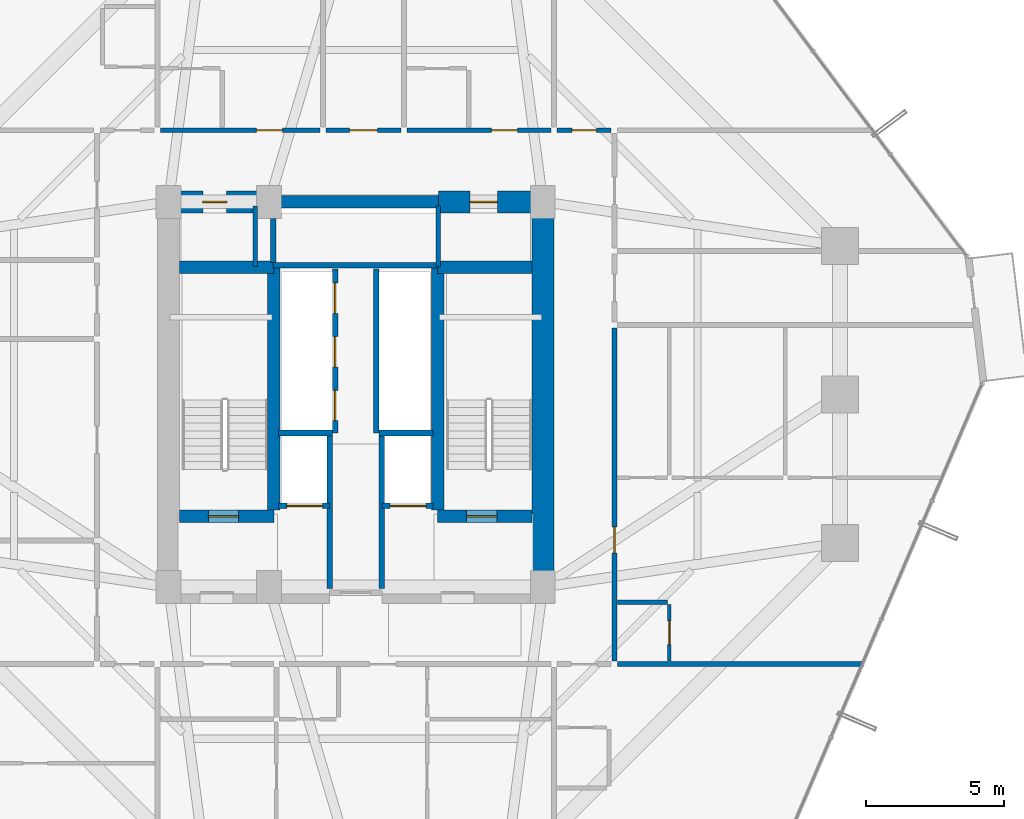
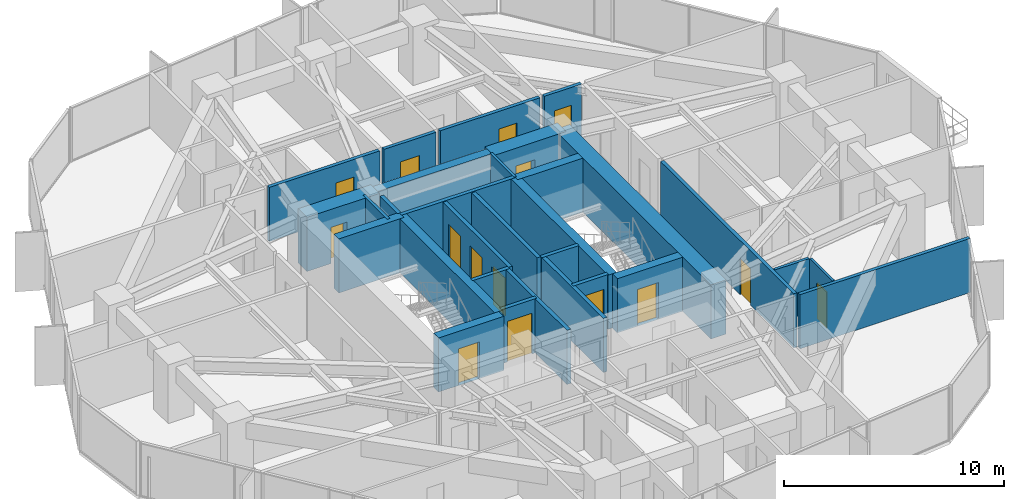
# One storey, part 34 of 37: 30 walls, 15 doors, 15 openings.
"""IFC4 building model written with IfcOpenShell, lengths in metres."""

from ifc_helpers import new_model, si_unit, direction, frame, frame_2d, origin, place, context, subcontext, project, spatial, rectangle, extrude, source, transform, mapped, material, layer, layer_set, type_object, element, fill, save


model = new_model("IFC4")

# Units and contexts
model_context = context("Model", 3, precision=1e-05, world=origin(), true_north=direction((0.0, 1.0)))
body_context = subcontext(model_context, "Body", "Model", "MODEL_VIEW")
ifc_project = project(units=[si_unit("LENGTHUNIT", "METRE"), si_unit("AREAUNIT", "SQUARE_METRE"), si_unit("VOLUMEUNIT", "CUBIC_METRE"), si_unit("PLANEANGLEUNIT", "RADIAN"), si_unit("MASSUNIT", "GRAM", prefix="KILO")], contexts=[model_context])

# Site, building, storey
site_placement = place(None, origin())
site = spatial("IfcSite", under=ifc_project, at=site_placement, CompositionType="ELEMENT")
building_placement = place(site_placement, origin())
building = spatial("IfcBuilding", under=site, at=building_placement, Name="Veraguas Prism Commons", CompositionType="ELEMENT")
storey_placement = place(building_placement, frame((0.0, 0.0, 46.800048828125)))
storey = spatial("IfcBuildingStorey", under=building, at=storey_placement, Name="L12", CompositionType="ELEMENT", Elevation=46.800048828125)

# Wall
ifc_material_1 = material(Name="Concrete C60/75", Category="concrete")
ifc_layer_1 = layer(ifc_material_1, 0.449951171875, Name="Core Internal Shear Wall Lower RC 450", Category="concrete")
ifc_layer_set_1 = layer_set([ifc_layer_1], Name="Concrete C60/75")
wall_type_1 = type_object("IfcWallType", Name="Core Internal Shear Wall Lower RC 450", PredefinedType="SHEAR", material=ifc_layer_set_1)
wall_1_placement = place(storey_placement, frame((21.0, 31.0, 0.0), z_axis=(0.0, 0.0, 1.0), x_axis=(1.0, 0.0, 0.0)))
element("IfcWall", 1, at=wall_1_placement, inside=storey, type_object=wall_type_1, Name="High-Rise Lift Bank Front Shear Wall L12", PredefinedType="SHEAR", context=body_context, shape_type="SweptSolid", body=[
    extrude(rectangle(XDim=6.0, YDim=0.449951171875, at=frame_2d((3.0, 0.0))), origin(), (0.0, 0.0, 1.0), 3.0),
])

# Wall, opening, door
wall_2_placement = place(storey_placement, frame((17.60009765625, 19.574951171875, 0.0), z_axis=(0.0, 0.0, 1.0), x_axis=(1.0, 0.0, 0.0)))
wall_2 = element("IfcWall", 2, at=wall_2_placement, inside=storey, type_object=wall_type_1, Name="Stair ST-01 South Shear Wall L12", PredefinedType="SHEAR", context=body_context, shape_type="SweptSolid", body=[
    extrude(rectangle(XDim=3.4248046875, YDim=0.449951171875, at=frame_2d((1.71240234375, 0.0))), origin(), (0.0, 0.0, 1.0), 3.0),
])
opening_1_placement = place(wall_2_placement, frame((1.050048828125, 0.0, 0.0)))
opening_1 = element("IfcOpeningElement", 3, at=opening_1_placement, cuts=wall_2, Name="Opening DR-05", PredefinedType="OPENING", context=body_context, shape_type="SweptSolid", body=[
    extrude(rectangle(XDim=1.10009765625, YDim=2.030029296875, at=frame_2d((0.550048828125, 1.01513671875))), frame((0.0, 0.23486328125, 0.0), z_axis=(0.0, -1.0, 0.0), x_axis=(1.0, 0.0, 0.0)), (0.0, 0.0, 1.0), 0.469970703125),
])
ifc_material_2 = material(Name="Steel fire-rated door assembly", Category="steel")
door_type_1 = type_object("IfcDoorType", Name="Protected Stair and Refuge Fire Door 1100x2030", OperationType="NOTDEFINED", PredefinedType="DOOR", material=ifc_material_2)
shared_shape_1 = source(origin(), body_context, "Body", "SweptSolid", [
    extrude(rectangle(XDim=1.10009765625, YDim=2.030029296875, at=frame_2d((0.550048828125, 1.01513671875))), frame((0.0, 0.02490234375, 0.0), z_axis=(0.0, -1.0, 0.0), x_axis=(1.0, 0.0, 0.0)), (0.0, 0.0, 1.0), 0.050048828125),
])
door_1_placement = place(opening_1_placement, origin())
door_1 = element("IfcDoor", 4, at=door_1_placement, inside=storey, type_object=door_type_1, Name="Stair ST-01 Enclosure Door L12", OperationType="SINGLE_SWING_RIGHT", OverallHeight=2.030029296875, OverallWidth=1.10009765625, PredefinedType="DOOR", context=body_context, shape_type="MappedRepresentation", body=[
    mapped(shared_shape_1, transform((0.0, 0.0, 0.0), scale=1.0)),
])
fill(opening_1, door_1)

wall_3_placement = place(storey_placement, frame((26.97509765625, 19.574951171875, 0.0), z_axis=(0.0, 0.0, 1.0), x_axis=(1.0, 0.0, 0.0)))
wall_3 = element("IfcWall", 5, at=wall_3_placement, inside=storey, type_object=wall_type_1, Name="Stair ST-02 South Shear Wall L12", PredefinedType="SHEAR", context=body_context, shape_type="SweptSolid", body=[
    extrude(rectangle(XDim=3.4248046875, YDim=0.449951171875, at=frame_2d((1.71240234375, 0.0))), origin(), (0.0, 0.0, 1.0), 3.0),
])
opening_2_placement = place(wall_3_placement, frame((1.050048828125, 0.0, 0.0)))
opening_2 = element("IfcOpeningElement", 6, at=opening_2_placement, cuts=wall_3, Name="Opening DR-05", PredefinedType="OPENING", context=body_context, shape_type="SweptSolid", body=[
    extrude(rectangle(XDim=1.10009765625, YDim=2.030029296875, at=frame_2d((0.550048828125, 1.01513671875))), frame((0.0, 0.23486328125, 0.0), z_axis=(0.0, -1.0, 0.0), x_axis=(1.0, 0.0, 0.0)), (0.0, 0.0, 1.0), 0.469970703125),
])
door_2_placement = place(opening_2_placement, origin())
door_2 = element("IfcDoor", 7, at=door_2_placement, inside=storey, type_object=door_type_1, Name="Stair ST-02 Enclosure Door L12", OperationType="SINGLE_SWING_LEFT", OverallHeight=2.030029296875, OverallWidth=1.10009765625, PredefinedType="DOOR", context=body_context, shape_type="MappedRepresentation", body=[
    mapped(shared_shape_1, transform((0.0, 0.0, 0.0), scale=1.0)),
])
fill(opening_2, door_2)

# Walls
for number, where, z_axis, x_axis, name in (
    (8, (21.02490234375, 19.800048828125, 0.0), (0.0, 0.0, 1.0), (0.0, 1.0, 0.0), "Stair ST-01 Inner Shear Wall L12"),
    (9, (26.97509765625, 19.800048828125, 0.0), (0.0, 0.0, 1.0), (0.0, 1.0, 0.0), "Stair ST-02 Inner Shear Wall L12"),
):
    element("IfcWall", number, at=place(storey_placement, frame(where, z_axis=z_axis, x_axis=x_axis)), inside=storey, type_object=wall_type_1, Name=name, PredefinedType="SHEAR", context=body_context, shape_type="SweptSolid", body=[
        extrude(rectangle(XDim=8.824951171875, YDim=0.449951171875, at=frame_2d((4.41259765625, 0.0))), origin(), (0.0, 0.0, 1.0), 3.0),
    ])
for number, where, z_axis, x_axis, name in (
    (10, (17.60009765625, 28.625, 0.0), (0.0, 0.0, 1.0), (1.0, 0.0, 0.0), "Stair ST-01 North Shear Wall L12"),
    (11, (26.97509765625, 28.625, 0.0), (0.0, 0.0, 1.0), (1.0, 0.0, 0.0), "Stair ST-02 North Shear Wall L12"),
):
    element("IfcWall", number, at=place(storey_placement, frame(where, z_axis=z_axis, x_axis=x_axis)), inside=storey, type_object=wall_type_1, Name=name, PredefinedType="SHEAR", context=body_context, shape_type="SweptSolid", body=[
        extrude(rectangle(XDim=3.4248046875, YDim=0.449951171875, at=frame_2d((1.71240234375, 0.0))), origin(), (0.0, 0.0, 1.0), 3.0),
    ])
ifc_layer_2 = layer(ifc_material_1, 0.800048828125, Name="Core Outer Shear Wall Lower RC 800", Category="concrete")
ifc_layer_set_2 = layer_set([ifc_layer_2], Name="Concrete C60/75")
wall_type_2 = type_object("IfcWallType", Name="Core Outer Shear Wall Lower RC 800", PredefinedType="SHEAR", material=ifc_layer_set_2)
wall_4_placement = place(storey_placement, frame((30.800048828125, 16.800048828125, 0.0), z_axis=(0.0, 0.0, 1.0), x_axis=(0.0, 1.0, 0.0)))
element("IfcWall", 12, at=wall_4_placement, inside=storey, type_object=wall_type_2, Name="Central Core East Shear Wall L12", PredefinedType="SHEAR", context=body_context, shape_type="SweptSolid", body=[
    extrude(rectangle(XDim=14.199951171875, YDim=0.800048828125, at=frame_2d((7.10009765625, 0.0))), origin(), (0.0, 0.0, 1.0), 3.0),
])

# Wall, opening, door
wall_5_placement = place(storey_placement, frame((17.199951171875, 31.0, 0.0), z_axis=(0.0, 0.0, 1.0), x_axis=(1.0, 0.0, 0.0)))
wall_5 = element("IfcWall", 13, at=wall_5_placement, inside=storey, type_object=wall_type_2, Name="Central Core North-West Shear Wall L12", PredefinedType="SHEAR", context=body_context, shape_type="SweptSolid", body=[
    extrude(rectangle(XDim=3.800048828125, YDim=0.800048828125, at=frame_2d((1.89990234375, 0.0))), origin(), (0.0, 0.0, 1.0), 3.0),
])
opening_3_placement = place(wall_5_placement, frame((1.25, 0.0, 0.0)))
opening_3 = element("IfcOpeningElement", 14, at=opening_3_placement, cuts=wall_5, Name="Opening DR-12", PredefinedType="OPENING", context=body_context, shape_type="SweptSolid", body=[
    extrude(rectangle(XDim=0.860107421875, YDim=2.010009765625, at=frame_2d((0.43017578125, 1.0048828125))), frame((0.0, 0.409912109375, 0.0), z_axis=(0.0, -1.0, 0.0), x_axis=(1.0, 0.0, 0.0)), (0.0, 0.0, 1.0), 0.820068359375),
])
door_type_2 = type_object("IfcDoorType", Name="Core WC Fire Door 860x2010", OperationType="NOTDEFINED", PredefinedType="DOOR", material=ifc_material_2)
shared_shape_2 = source(origin(), body_context, "Body", "SweptSolid", [
    extrude(rectangle(XDim=0.860107421875, YDim=2.010009765625, at=frame_2d((0.43017578125, 1.0048828125))), frame((0.0, 0.02490234375, 0.0), z_axis=(0.0, -1.0, 0.0), x_axis=(1.0, 0.0, 0.0)), (0.0, 0.0, 1.0), 0.050048828125),
])
door_3_placement = place(opening_3_placement, origin())
door_3 = element("IfcDoor", 15, at=door_3_placement, inside=storey, type_object=door_type_2, Name="Core NW Service Door L12", OperationType="SINGLE_SWING_RIGHT", OverallHeight=2.010009765625, OverallWidth=0.860107421875, PredefinedType="DOOR", context=body_context, shape_type="MappedRepresentation", body=[
    mapped(shared_shape_2, transform((0.0, 0.0, 0.0), scale=1.0)),
])
fill(opening_3, door_3)

wall_6_placement = place(storey_placement, frame((27.0, 31.0, 0.0), z_axis=(0.0, 0.0, 1.0), x_axis=(1.0, 0.0, 0.0)))
wall_6 = element("IfcWall", 16, at=wall_6_placement, inside=storey, type_object=wall_type_2, Name="Central Core North-East Shear Wall L12", PredefinedType="SHEAR", context=body_context, shape_type="SweptSolid", body=[
    extrude(rectangle(XDim=3.800048828125, YDim=0.800048828125, at=frame_2d((1.89990234375, 0.0))), origin(), (0.0, 0.0, 1.0), 3.0),
])
opening_4_placement = place(wall_6_placement, frame((1.14990234375, 0.0, 0.0)))
opening_4 = element("IfcOpeningElement", 17, at=opening_4_placement, cuts=wall_6, Name="Opening DR-13", PredefinedType="OPENING", context=body_context, shape_type="SweptSolid", body=[
    extrude(rectangle(XDim=1.0, YDim=2.010009765625, at=frame_2d((0.5, 1.0048828125))), frame((0.0, 0.409912109375, 0.0), z_axis=(0.0, -1.0, 0.0), x_axis=(1.0, 0.0, 0.0)), (0.0, 0.0, 1.0), 0.820068359375),
])
door_type_3 = type_object("IfcDoorType", Name="Core Accessible WC and Clinic Fire Door 1000x2010", OperationType="NOTDEFINED", PredefinedType="DOOR", material=ifc_material_2)
shared_shape_3 = source(origin(), body_context, "Body", "SweptSolid", [
    extrude(rectangle(XDim=1.0, YDim=2.010009765625, at=frame_2d((0.5, 1.0048828125))), frame((0.0, 0.02490234375, 0.0), z_axis=(0.0, -1.0, 0.0), x_axis=(1.0, 0.0, 0.0)), (0.0, 0.0, 1.0), 0.050048828125),
])
door_4_placement = place(opening_4_placement, origin())
door_4 = element("IfcDoor", 18, at=door_4_placement, inside=storey, type_object=door_type_3, Name="Core NE Pantry Door L12", OperationType="SINGLE_SWING_LEFT", OverallHeight=2.010009765625, OverallWidth=1.0, PredefinedType="DOOR", context=body_context, shape_type="MappedRepresentation", body=[
    mapped(shared_shape_3, transform((0.0, 0.0, 0.0), scale=1.0)),
])
fill(opening_4, door_4)

ifc_material_3 = material(Name="Autoclaved aerated masonry block 10 MPa", Category="masonry")
ifc_layer_3 = layer(ifc_material_3, 0.179931640625, Name="Corridor and Inter-Tenancy Partition 180", Category="masonry")
ifc_layer_set_3 = layer_set([ifc_layer_3], Name="Autoclaved aerated masonry block 10 MPa")
wall_type_3 = type_object("IfcWallType", Name="Corridor and Inter-Tenancy Partition 180", PredefinedType="PARTITIONING", material=ifc_layer_set_3)
wall_7_placement = place(storey_placement, frame((22.91796875, 33.60009765625, 0.0), z_axis=(0.0, 0.0, 1.0), x_axis=(1.0, 0.0, 0.0)))
wall_7 = element("IfcWall", 19, at=wall_7_placement, inside=storey, type_object=wall_type_3, Name="WL-L12-PT019", PredefinedType="PARTITIONING", context=body_context, shape_type="SweptSolid", body=[
    extrude(rectangle(XDim=2.72998046875, YDim=0.179931640625, at=frame_2d((1.364990234375, 0.0))), origin(), (0.0, 0.0, 1.0), 3.0),
])
opening_5_placement = place(wall_7_placement, frame((0.864990234375, 0.0, 0.0)))
opening_5 = element("IfcOpeningElement", 20, at=opening_5_placement, cuts=wall_7, Name="Opening DR-13", PredefinedType="OPENING", context=body_context, shape_type="SweptSolid", body=[
    extrude(rectangle(XDim=1.0, YDim=2.010009765625, at=frame_2d((0.5, 1.0048828125))), frame((0.0, 0.099853515625, 0.0), z_axis=(0.0, -1.0, 0.0), x_axis=(1.0, 0.0, 0.0)), (0.0, 0.0, 1.0), 0.199951171875),
])
door_5_placement = place(opening_5_placement, origin())
door_5 = element("IfcDoor", 21, at=door_5_placement, inside=storey, type_object=door_type_3, Name="Quiet Study N Door", OperationType="SINGLE_SWING_RIGHT", OverallHeight=2.010009765625, OverallWidth=1.0, PredefinedType="DOOR", context=body_context, shape_type="MappedRepresentation", body=[
    mapped(shared_shape_3, transform((0.0, 0.0, 0.0), scale=1.0)),
])
fill(opening_5, door_5)

wall_8_placement = place(storey_placement, frame((16.909912109375, 33.60009765625, 0.0), z_axis=(0.0, 0.0, 1.0), x_axis=(1.0, 0.0, 0.0)))
wall_8 = element("IfcWall", 22, at=wall_8_placement, inside=storey, type_object=wall_type_3, Name="WL-L12-PT021", PredefinedType="PARTITIONING", context=body_context, shape_type="SweptSolid", body=[
    extrude(rectangle(XDim=5.7880859375, YDim=0.179931640625, at=frame_2d((2.89404296875, 0.0))), origin(), (0.0, 0.0, 1.0), 3.0),
])
opening_6_placement = place(wall_8_placement, frame((3.484130859375, 0.0, 0.0)))
opening_6 = element("IfcOpeningElement", 23, at=opening_6_placement, cuts=wall_8, Name="Opening DR-01", PredefinedType="OPENING", context=body_context, shape_type="SweptSolid", body=[
    extrude(rectangle(XDim=0.949951171875, YDim=2.02001953125, at=frame_2d((0.47509765625, 1.010009765625))), frame((0.0, 0.099853515625, 0.0), z_axis=(0.0, -1.0, 0.0), x_axis=(1.0, 0.0, 0.0)), (0.0, 0.0, 1.0), 0.199951171875),
])
ifc_material_4 = material(Name="Anodised aluminium EN AW-6063 T6", Category="aluminium")
door_type_4 = type_object("IfcDoorType", Name="Apartment Entrance Fire Door 950x2020", OperationType="NOTDEFINED", PredefinedType="DOOR", material=ifc_material_4)
shared_shape_4 = source(origin(), body_context, "Body", "SweptSolid", [
    extrude(rectangle(XDim=0.949951171875, YDim=2.02001953125, at=frame_2d((0.47509765625, 1.010009765625))), frame((0.0, 0.02490234375, 0.0), z_axis=(0.0, -1.0, 0.0), x_axis=(1.0, 0.0, 0.0)), (0.0, 0.0, 1.0), 0.050048828125),
])
door_6_placement = place(opening_6_placement, origin())
door_6 = element("IfcDoor", 24, at=door_6_placement, inside=storey, type_object=door_type_4, Name="Studio 12B Entrance Door", OperationType="SINGLE_SWING_LEFT", OverallHeight=2.02001953125, OverallWidth=0.949951171875, PredefinedType="DOOR", context=body_context, shape_type="MappedRepresentation", body=[
    mapped(shared_shape_4, transform((0.0, 0.0, 0.0), scale=1.0)),
])
fill(opening_6, door_6)

wall_9_placement = place(storey_placement, frame((25.867919921875, 33.60009765625, 0.0), z_axis=(0.0, 0.0, 1.0), x_axis=(1.0, 0.0, 0.0)))
wall_9 = element("IfcWall", 25, at=wall_9_placement, inside=storey, type_object=wall_type_3, Name="WL-L12-PT025", PredefinedType="PARTITIONING", context=body_context, shape_type="SweptSolid", body=[
    extrude(rectangle(XDim=5.22216796875, YDim=0.179931640625, at=frame_2d((2.611083984375, 0.0))), origin(), (0.0, 0.0, 1.0), 3.0),
])
opening_7_placement = place(wall_9_placement, frame((3.065185546875, 0.0, 0.0)))
opening_7 = element("IfcOpeningElement", 26, at=opening_7_placement, cuts=wall_9, Name="Opening DR-01", PredefinedType="OPENING", context=body_context, shape_type="SweptSolid", body=[
    extrude(rectangle(XDim=0.949951171875, YDim=2.02001953125, at=frame_2d((0.47509765625, 1.010009765625))), frame((0.0, 0.099853515625, 0.0), z_axis=(0.0, -1.0, 0.0), x_axis=(1.0, 0.0, 0.0)), (0.0, 0.0, 1.0), 0.199951171875),
])
door_7_placement = place(opening_7_placement, origin())
door_7 = element("IfcDoor", 27, at=door_7_placement, inside=storey, type_object=door_type_4, Name="Studio 12C Entrance Door", OperationType="SINGLE_SWING_LEFT", OverallHeight=2.02001953125, OverallWidth=0.949951171875, PredefinedType="DOOR", context=body_context, shape_type="MappedRepresentation", body=[
    mapped(shared_shape_4, transform((0.0, 0.0, 0.0), scale=1.0)),
])
fill(opening_7, door_7)

# Wall
wall_10_placement = place(storey_placement, frame((33.52001953125, 14.199951171875, 0.0), z_axis=(0.0, 0.0, 1.0), x_axis=(1.0, 0.0, 0.0)))
element("IfcWall", 28, at=wall_10_placement, inside=storey, type_object=wall_type_3, Name="WL-L12-PT037", PredefinedType="PARTITIONING", context=body_context, shape_type="SweptSolid", body=[
    extrude(rectangle(XDim=8.927490234375, YDim=0.179931640625, at=frame_2d((4.4638671875, 0.0))), origin(), (0.0, 0.0, 1.0), 3.0),
])

# Wall, opening, door
wall_11_placement = place(storey_placement, frame((33.39990234375, 14.31005859375, 0.0), z_axis=(0.0, 0.0, 1.0), x_axis=(0.0, 1.0, 0.0)))
wall_11 = element("IfcWall", 29, at=wall_11_placement, inside=storey, type_object=wall_type_3, Name="WL-L12-PT039", PredefinedType="PARTITIONING", context=body_context, shape_type="SweptSolid", body=[
    extrude(rectangle(XDim=12.10791015625, YDim=0.179931640625, at=frame_2d((6.053955078125, 0.0))), origin(), (0.0, 0.0, 1.0), 3.0),
])
opening_8_placement = place(wall_11_placement, frame((3.929931640625, 0.0, 0.0)))
opening_8 = element("IfcOpeningElement", 30, at=opening_8_placement, cuts=wall_11, Name="Opening DR-01", PredefinedType="OPENING", context=body_context, shape_type="SweptSolid", body=[
    extrude(rectangle(XDim=0.949951171875, YDim=2.02001953125, at=frame_2d((0.47509765625, 1.010009765625))), frame((0.0, 0.099853515625, 0.0), z_axis=(0.0, -1.0, 0.0), x_axis=(1.0, 0.0, 0.0)), (0.0, 0.0, 1.0), 0.199951171875),
])
door_8_placement = place(opening_8_placement, origin())
door_8 = element("IfcDoor", 31, at=door_8_placement, inside=storey, type_object=door_type_4, Name="Flat 12D Entrance Door", OperationType="SINGLE_SWING_LEFT", OverallHeight=2.02001953125, OverallWidth=0.949951171875, PredefinedType="DOOR", context=body_context, shape_type="MappedRepresentation", body=[
    mapped(shared_shape_4, transform((0.0, 0.0, 0.0), scale=1.0)),
])
fill(opening_8, door_8)

wall_12_placement = place(storey_placement, frame((31.320068359375, 33.60009765625, 0.0), z_axis=(0.0, 0.0, 1.0), x_axis=(1.0, 0.0, 0.0)))
wall_12 = element("IfcWall", 32, at=wall_12_placement, inside=storey, type_object=wall_type_3, Name="WL-L12-PT061", PredefinedType="PARTITIONING", context=body_context, shape_type="SweptSolid", body=[
    extrude(rectangle(XDim=1.9599609375, YDim=0.179931640625, at=frame_2d((0.97998046875, 0.0))), origin(), (0.0, 0.0, 1.0), 3.0),
])
opening_9_placement = place(wall_12_placement, frame((0.530029296875, 0.0, 0.0)))
opening_9 = element("IfcOpeningElement", 33, at=opening_9_placement, cuts=wall_12, Name="Opening DR-14", PredefinedType="OPENING", context=body_context, shape_type="SweptSolid", body=[
    extrude(rectangle(XDim=0.89990234375, YDim=2.010009765625, at=frame_2d((0.449951171875, 1.0048828125))), frame((0.0, 0.099853515625, 0.0), z_axis=(0.0, -1.0, 0.0), x_axis=(1.0, 0.0, 0.0)), (0.0, 0.0, 1.0), 0.199951171875),
])
door_type_5 = type_object("IfcDoorType", Name="Core Service Room Fire Door 900x2010", OperationType="NOTDEFINED", PredefinedType="DOOR", material=ifc_material_2)
shared_shape_5 = source(origin(), body_context, "Body", "SweptSolid", [
    extrude(rectangle(XDim=0.89990234375, YDim=2.010009765625, at=frame_2d((0.449951171875, 1.0048828125))), frame((0.0, 0.02490234375, 0.0), z_axis=(0.0, -1.0, 0.0), x_axis=(1.0, 0.0, 0.0)), (0.0, 0.0, 1.0), 0.050048828125),
])
door_9_placement = place(opening_9_placement, origin())
door_9 = element("IfcDoor", 34, at=door_9_placement, inside=storey, type_object=door_type_5, Name="Residents Corner Study Room NE Door", OperationType="SINGLE_SWING_RIGHT", OverallHeight=2.010009765625, OverallWidth=0.89990234375, PredefinedType="DOOR", context=body_context, shape_type="MappedRepresentation", body=[
    mapped(shared_shape_5, transform((0.0, 0.0, 0.0), scale=1.0)),
])
fill(opening_9, door_9)

ifc_material_5 = material(Name="Lightweight acoustic gypsum board")
ifc_layer_4 = layer(ifc_material_5, 0.125, Name="Internal Apartment Room Partition 125")
ifc_layer_set_4 = layer_set([ifc_layer_4], Name="Lightweight acoustic gypsum board")
wall_type_4 = type_object("IfcWallType", Name="Internal Apartment Room Partition 125", PredefinedType="PARTITIONING", material=ifc_layer_set_4)
wall_13_placement = place(storey_placement, frame((35.39990234375, 14.320068359375, 0.0), z_axis=(0.0, 0.0, 1.0), x_axis=(0.0, 1.0, 0.0)))
wall_13 = element("IfcWall", 35, at=wall_13_placement, inside=storey, type_object=wall_type_4, Name="WL-L12-PT041", PredefinedType="PARTITIONING", context=body_context, shape_type="SweptSolid", body=[
    extrude(rectangle(XDim=2.050048828125, YDim=0.125, at=frame_2d((1.02490234375, 0.0))), origin(), (0.0, 0.0, 1.0), 3.0),
])
opening_10_placement = place(wall_13_placement, frame((0.594970703125, 0.0, 0.0)))
opening_10 = element("IfcOpeningElement", 36, at=opening_10_placement, cuts=wall_13, Name="Opening DR-03", PredefinedType="OPENING", context=body_context, shape_type="SweptSolid", body=[
    extrude(rectangle(XDim=0.860107421875, YDim=2.010009765625, at=frame_2d((0.43017578125, 1.0048828125))), frame((0.0, 0.072509765625, 0.0), z_axis=(0.0, -1.0, 0.0), x_axis=(1.0, 0.0, 0.0)), (0.0, 0.0, 1.0), 0.14501953125),
])
ifc_material_6 = material(Name="Timber moisture-resistant leaf", Category="wood")
door_type_6 = type_object("IfcDoorType", Name="Internal Bathroom Door 860x2010", OperationType="NOTDEFINED", PredefinedType="DOOR", material=ifc_material_6)
door_10_placement = place(opening_10_placement, origin())
door_10 = element("IfcDoor", 37, at=door_10_placement, inside=storey, type_object=door_type_6, Name="Flat 12D Bathroom Door", OperationType="SINGLE_SWING_RIGHT", OverallHeight=2.010009765625, OverallWidth=0.860107421875, PredefinedType="DOOR", context=body_context, shape_type="MappedRepresentation", body=[
    mapped(shared_shape_2, transform((0.0, 0.0, 0.0), scale=1.0)),
])
fill(opening_10, door_10)

ifc_layer_5 = layer(ifc_material_3, 0.199951171875, Name="Rated Shaft and Lobby Block Wall 200", Category="masonry")
ifc_layer_set_5 = layer_set([ifc_layer_5], Name="Autoclaved aerated masonry block 10 MPa")
wall_type_5 = type_object("IfcWallType", Name="Rated Shaft and Lobby Block Wall 200", PredefinedType="SOLIDWALL", material=ifc_layer_set_5)
wall_14_placement = place(storey_placement, frame((21.199951171875, 19.949951171875, 0.0), z_axis=(0.0, 0.0, 1.0), x_axis=(1.0, 0.0, 0.0)))
wall_14 = element("IfcWall", 38, at=wall_14_placement, inside=storey, type_object=wall_type_5, Name="Firefighting Lift FFL-1 Front Wall L12", PredefinedType="SOLIDWALL", context=body_context, shape_type="SweptSolid", body=[
    extrude(rectangle(XDim=1.85009765625, YDim=0.199951171875, at=frame_2d((0.925048828125, 0.0))), origin(), (0.0, 0.0, 1.0), 3.0),
])
opening_11_placement = place(wall_14_placement, frame((0.300048828125, 0.0, 0.0)))
opening_11 = element("IfcOpeningElement", 39, at=opening_11_placement, cuts=wall_14, Name="Opening LD-02", PredefinedType="OPENING", context=body_context, shape_type="SweptSolid", body=[
    extrude(rectangle(XDim=1.300048828125, YDim=2.25, at=frame_2d((0.64990234375, 1.125))), frame((0.0, 0.10986328125, 0.0), z_axis=(0.0, -1.0, 0.0), x_axis=(1.0, 0.0, 0.0)), (0.0, 0.0, 1.0), 0.219970703125),
])
ifc_material_7 = material(Name="Stainless steel AISI 316", Category="steel")
door_type_7 = type_object("IfcDoorType", Name="Firefighting Lift Sliding Landing Door 1300x2250", OperationType="NOTDEFINED", PredefinedType="DOOR", material=ifc_material_7)
shared_shape_6 = source(origin(), body_context, "Body", "SweptSolid", [
    extrude(rectangle(XDim=1.300048828125, YDim=2.25, at=frame_2d((0.64990234375, 1.125))), frame((0.0, 0.02490234375, 0.0), z_axis=(0.0, -1.0, 0.0), x_axis=(1.0, 0.0, 0.0)), (0.0, 0.0, 1.0), 0.050048828125),
])
door_11_placement = place(opening_11_placement, origin())
door_11 = element("IfcDoor", 40, at=door_11_placement, inside=storey, type_object=door_type_7, Name="Firefighting Lift FFL-1 Landing Door L12", OperationType="SLIDING_TO_LEFT", OverallHeight=2.25, OverallWidth=1.300048828125, PredefinedType="DOOR", context=body_context, shape_type="MappedRepresentation", body=[
    mapped(shared_shape_6, transform((0.0, 0.0, 0.0), scale=1.0)),
])
fill(opening_11, door_11)

wall_15_placement = place(storey_placement, frame((24.949951171875, 19.949951171875, 0.0), z_axis=(0.0, 0.0, 1.0), x_axis=(1.0, 0.0, 0.0)))
wall_15 = element("IfcWall", 41, at=wall_15_placement, inside=storey, type_object=wall_type_5, Name="Firefighting Lift FFL-2 Front Wall L12", PredefinedType="SOLIDWALL", context=body_context, shape_type="SweptSolid", body=[
    extrude(rectangle(XDim=1.85009765625, YDim=0.199951171875, at=frame_2d((0.925048828125, 0.0))), origin(), (0.0, 0.0, 1.0), 3.0),
])
opening_12_placement = place(wall_15_placement, frame((0.300048828125, 0.0, 0.0)))
opening_12 = element("IfcOpeningElement", 42, at=opening_12_placement, cuts=wall_15, Name="Opening LD-02", PredefinedType="OPENING", context=body_context, shape_type="SweptSolid", body=[
    extrude(rectangle(XDim=1.300048828125, YDim=2.25, at=frame_2d((0.64990234375, 1.125))), frame((0.0, 0.10986328125, 0.0), z_axis=(0.0, -1.0, 0.0), x_axis=(1.0, 0.0, 0.0)), (0.0, 0.0, 1.0), 0.219970703125),
])
door_12_placement = place(opening_12_placement, origin())
door_12 = element("IfcDoor", 43, at=door_12_placement, inside=storey, type_object=door_type_7, Name="Firefighting Lift FFL-2 Front Wall L12", OperationType="SLIDING_TO_LEFT", OverallHeight=2.25, OverallWidth=1.300048828125, PredefinedType="DOOR", context=body_context, shape_type="MappedRepresentation", body=[
    mapped(shared_shape_6, transform((0.0, 0.0, 0.0), scale=1.0)),
])
fill(opening_12, door_12)

# Walls
for number, where, z_axis, x_axis, name in (
    (44, (23.050048828125, 16.949951171875, 0.0), (0.0, 0.0, 1.0), (0.0, 1.0, 0.0), "West FF Lobby Divider Wall L12"),
    (45, (24.949951171875, 16.949951171875, 0.0), (0.0, 0.0, 1.0), (0.0, 1.0, 0.0), "East FF Lobby Divider Wall L12"),
):
    element("IfcWall", number, at=place(storey_placement, frame(where, z_axis=z_axis, x_axis=x_axis)), inside=storey, type_object=wall_type_5, Name=name, PredefinedType="SOLIDWALL", context=body_context, shape_type="SweptSolid", body=[
        extrude(rectangle(XDim=5.60009765625, YDim=0.199951171875, at=frame_2d((2.800048828125, 0.0))), origin(), (0.0, 0.0, 1.0), 3.0),
    ])
for number, where, z_axis, x_axis, name in (
    (46, (21.199951171875, 22.60009765625, 0.0), (0.0, 0.0, 1.0), (1.0, 0.0, 0.0), "Firefighting Lift FFL-1 Rear Wall L12"),
    (47, (24.85009765625, 22.60009765625, 0.0), (0.0, 0.0, 1.0), (1.0, 0.0, 0.0), "Firefighting Lift FFL-2 Rear Wall L12"),
):
    element("IfcWall", number, at=place(storey_placement, frame(where, z_axis=z_axis, x_axis=x_axis)), inside=storey, type_object=wall_type_5, Name=name, PredefinedType="SOLIDWALL", context=body_context, shape_type="SweptSolid", body=[
        extrude(rectangle(XDim=1.949951171875, YDim=0.199951171875, at=frame_2d((0.97509765625, 0.0))), origin(), (0.0, 0.0, 1.0), 3.0),
    ])
wall_16_placement = place(storey_placement, frame((21.0, 28.699951171875, 0.0), z_axis=(0.0, 0.0, 1.0), x_axis=(1.0, 0.0, 0.0)))
element("IfcWall", 48, at=wall_16_placement, inside=storey, type_object=wall_type_5, Name="High-Rise Lift Bank Rear Shaft Wall L12", PredefinedType="SOLIDWALL", context=body_context, shape_type="SweptSolid", body=[
    extrude(rectangle(XDim=6.0, YDim=0.199951171875, at=frame_2d((3.0, 0.0))), origin(), (0.0, 0.0, 1.0), 3.0),
])
wall_17_placement = place(storey_placement, frame((21.0, 28.800048828125, 0.0), z_axis=(0.0, 0.0, 1.0), x_axis=(0.0, 1.0, 0.0)))
element("IfcWall", 49, at=wall_17_placement, inside=storey, type_object=wall_type_5, Name="High-Rise Lift Bank West Shaft Wall L12", PredefinedType="SOLIDWALL", context=body_context, shape_type="SweptSolid", body=[
    extrude(rectangle(XDim=1.599853515625, YDim=0.199951171875, at=frame_2d((0.7998046875, 0.0))), origin(), (0.0, 0.0, 1.0), 3.0),
])

# Wall, openings, doors
wall_18_placement = place(storey_placement, frame((23.25, 22.60009765625, 0.0), z_axis=(0.0, 0.0, 1.0), x_axis=(0.0, 1.0, 0.0)))
wall_18 = element("IfcWall", 50, at=wall_18_placement, inside=storey, type_object=wall_type_5, Name="Low-Rise Lift Bank Front Wall L12", PredefinedType="SOLIDWALL", context=body_context, shape_type="SweptSolid", body=[
    extrude(rectangle(XDim=5.949951171875, YDim=0.199951171875, at=frame_2d((2.97509765625, 0.0))), origin(), (0.0, 0.0, 1.0), 3.0),
])
opening_13_placement = place(wall_18_placement, frame((0.449951171875, 0.0, 0.0)))
opening_13 = element("IfcOpeningElement", 51, at=opening_13_placement, cuts=wall_18, Name="Opening LD-01", PredefinedType="OPENING", context=body_context, shape_type="SweptSolid", body=[
    extrude(rectangle(XDim=1.10009765625, YDim=2.080078125, at=frame_2d((0.550048828125, 1.0400390625))), frame((0.0, 0.10986328125, 0.0), z_axis=(0.0, -1.0, 0.0), x_axis=(1.0, 0.0, 0.0)), (0.0, 0.0, 1.0), 0.219970703125),
])
opening_14_placement = place(wall_18_placement, frame((2.39990234375, 0.0, 0.0)))
opening_14 = element("IfcOpeningElement", 52, at=opening_14_placement, cuts=wall_18, Name="Opening LD-01", PredefinedType="OPENING", context=body_context, shape_type="SweptSolid", body=[
    extrude(rectangle(XDim=1.10009765625, YDim=2.080078125, at=frame_2d((0.550048828125, 1.0400390625))), frame((0.0, 0.10986328125, 0.0), z_axis=(0.0, -1.0, 0.0), x_axis=(1.0, 0.0, 0.0)), (0.0, 0.0, 1.0), 0.219970703125),
])
opening_15_placement = place(wall_18_placement, frame((4.35009765625, 0.0, 0.0)))
opening_15 = element("IfcOpeningElement", 53, at=opening_15_placement, cuts=wall_18, Name="Opening LD-01", PredefinedType="OPENING", context=body_context, shape_type="SweptSolid", body=[
    extrude(rectangle(XDim=1.10009765625, YDim=2.080078125, at=frame_2d((0.550048828125, 1.0400390625))), frame((0.0, 0.10986328125, 0.0), z_axis=(0.0, -1.0, 0.0), x_axis=(1.0, 0.0, 0.0)), (0.0, 0.0, 1.0), 0.219970703125),
])
door_type_8 = type_object("IfcDoorType", Name="Passenger Lift Sliding Landing Door 1100x2080", OperationType="NOTDEFINED", PredefinedType="DOOR", material=ifc_material_7)
shared_shape_7 = source(origin(), body_context, "Body", "SweptSolid", [
    extrude(rectangle(XDim=1.10009765625, YDim=2.080078125, at=frame_2d((0.550048828125, 1.0400390625))), frame((0.0, 0.02490234375, 0.0), z_axis=(0.0, -1.0, 0.0), x_axis=(1.0, 0.0, 0.0)), (0.0, 0.0, 1.0), 0.050048828125),
])
door_13_placement = place(opening_13_placement, origin())
door_13 = element("IfcDoor", 54, at=door_13_placement, inside=storey, type_object=door_type_8, Name="Sliding Landing Door PL-L1 L12", OperationType="SLIDING_TO_LEFT", OverallHeight=2.080078125, OverallWidth=1.10009765625, PredefinedType="DOOR", context=body_context, shape_type="MappedRepresentation", body=[
    mapped(shared_shape_7, transform((0.0, 0.0, 0.0), scale=1.0)),
])
fill(opening_13, door_13)
door_14_placement = place(opening_14_placement, origin())
door_14 = element("IfcDoor", 55, at=door_14_placement, inside=storey, type_object=door_type_8, Name="Sliding Landing Door PL-L2 L12", OperationType="SLIDING_TO_LEFT", OverallHeight=2.080078125, OverallWidth=1.10009765625, PredefinedType="DOOR", context=body_context, shape_type="MappedRepresentation", body=[
    mapped(shared_shape_7, transform((0.0, 0.0, 0.0), scale=1.0)),
])
fill(opening_14, door_14)
door_15_placement = place(opening_15_placement, origin())
door_15 = element("IfcDoor", 56, at=door_15_placement, inside=storey, type_object=door_type_8, Name="Sliding Landing Door PL-L3 L12", OperationType="SLIDING_TO_LEFT", OverallHeight=2.080078125, OverallWidth=1.10009765625, PredefinedType="DOOR", context=body_context, shape_type="MappedRepresentation", body=[
    mapped(shared_shape_7, transform((0.0, 0.0, 0.0), scale=1.0)),
])
fill(opening_15, door_15)

# Walls
wall_19_placement = place(storey_placement, frame((24.75, 22.60009765625, 0.0), z_axis=(0.0, 0.0, 1.0), x_axis=(0.0, 1.0, 0.0)))
element("IfcWall", 57, at=wall_19_placement, inside=storey, type_object=wall_type_5, Name="Mid-Rise Lift Bank Front Wall L12", PredefinedType="SOLIDWALL", context=body_context, shape_type="SweptSolid", body=[
    extrude(rectangle(XDim=5.949951171875, YDim=0.199951171875, at=frame_2d((2.97509765625, 0.0))), origin(), (0.0, 0.0, 1.0), 3.0),
])
ifc_layer_6 = layer(ifc_material_5, 0.14990234375, Name="Wet Room and Clinic Acoustic Partition 150")
ifc_layer_set_6 = layer_set([ifc_layer_6], Name="Lightweight acoustic gypsum board")
wall_type_6 = type_object("IfcWallType", Name="Wet Room and Clinic Acoustic Partition 150", PredefinedType="PARTITIONING", material=ifc_layer_set_6)
for number, where, z_axis, x_axis, name in (
    (58, (20.35009765625, 28.64990234375, 0.0), (0.0, 0.0, 1.0), (0.0, 1.0, 0.0), "Core NW Service Inner Wall L12"),
    (59, (27.0, 28.64990234375, 0.0), (0.0, 0.0, 1.0), (0.0, 1.0, 0.0), "Core NE Service Inner Wall L12"),
):
    element("IfcWall", number, at=place(storey_placement, frame(where, z_axis=z_axis, x_axis=x_axis)), inside=storey, type_object=wall_type_6, Name=name, PredefinedType="PARTITIONING", context=body_context, shape_type="SweptSolid", body=[
        extrude(rectangle(XDim=2.2001953125, YDim=0.14990234375, at=frame_2d((1.10009765625, 0.0))), origin(), (0.0, 0.0, 1.0), 3.0),
    ])
wall_20_placement = place(storey_placement, frame((33.52001953125, 16.449951171875, 0.0), z_axis=(0.0, 0.0, 1.0), x_axis=(1.0, 0.0, 0.0)))
element("IfcWall", 60, at=wall_20_placement, inside=storey, type_object=wall_type_6, Name="WL-L12-PT040", PredefinedType="PARTITIONING", context=body_context, shape_type="SweptSolid", body=[
    extrude(rectangle(XDim=1.800048828125, YDim=0.14990234375, at=frame_2d((0.89990234375, 0.0))), origin(), (0.0, 0.0, 1.0), 3.0),
])

save(model, "model.ifc")
